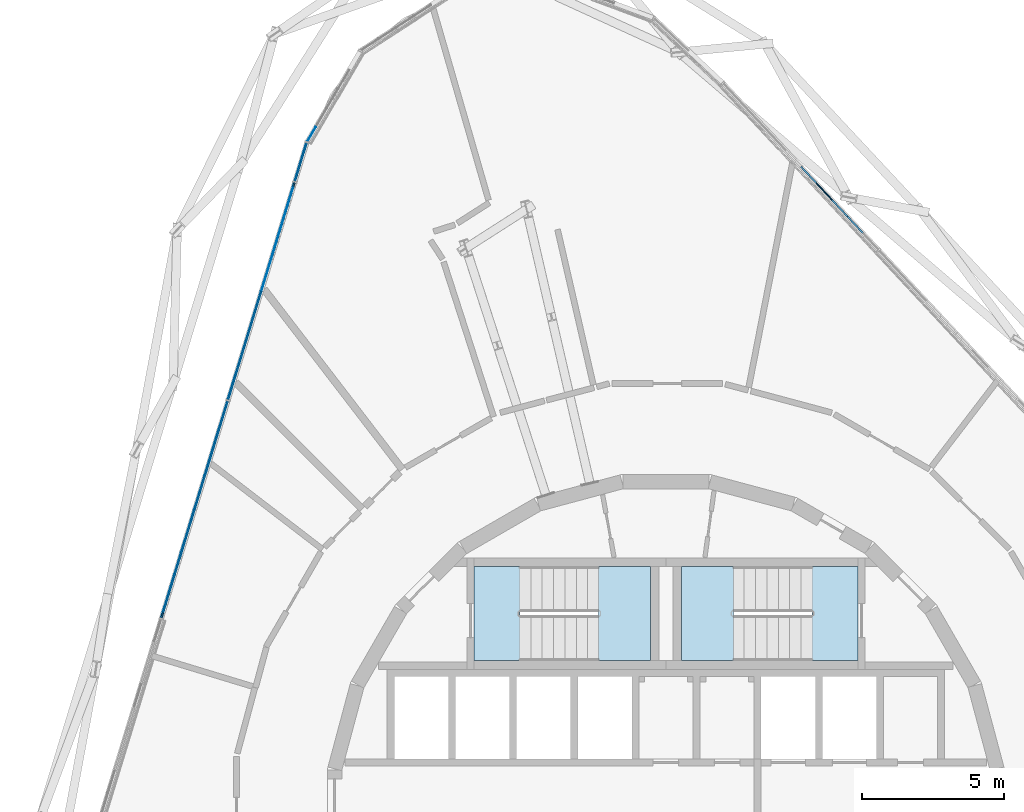
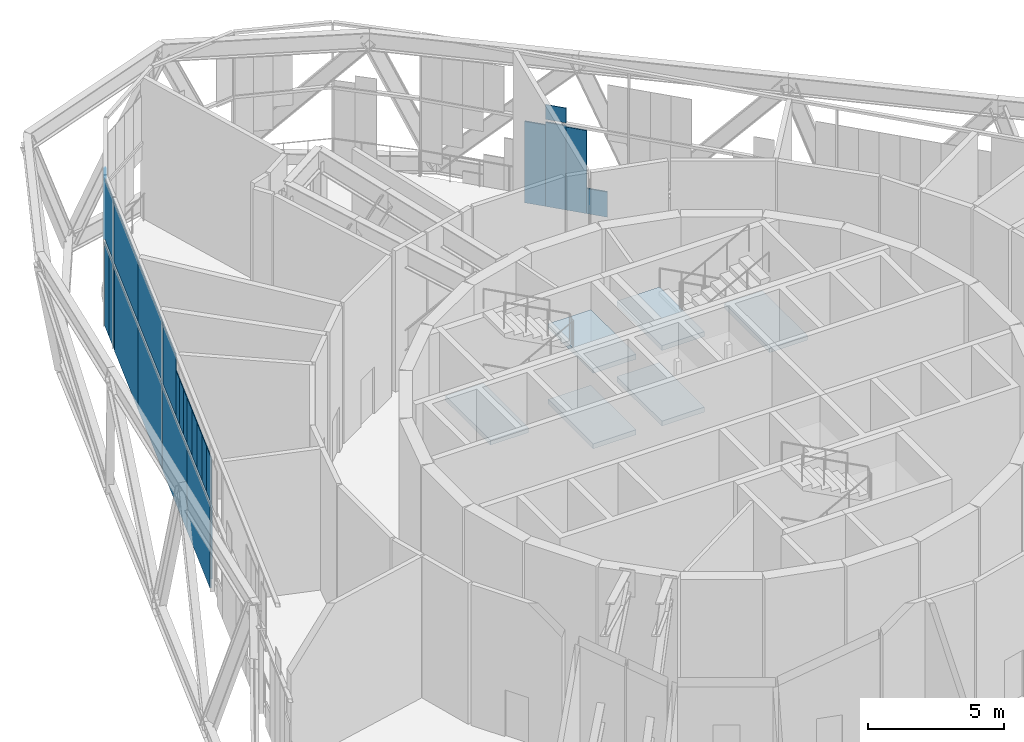
# One storey, part 15 of 25: 26 plates, 6 slabs, 5 elements without a shape of their own.
"""IFC4 building model written with IfcOpenShell, lengths in metres."""

from ifc_helpers import new_model, si_unit, direction, frame, origin, origin_2d, place, context, subcontext, project, spatial, polyline, rectangle, outline, extrude, material, layer, layer_set, type_object, element, aggregate, save


model = new_model("IFC4")

# Units and contexts
model_context = context("Model", 3, precision=1e-05, world=origin(), true_north=direction((0.0, 1.0)))
body_context = subcontext(model_context, "Body", "Model", "MODEL_VIEW")
ifc_project = project(units=[si_unit("LENGTHUNIT", "METRE"), si_unit("AREAUNIT", "SQUARE_METRE"), si_unit("VOLUMEUNIT", "CUBIC_METRE"), si_unit("PLANEANGLEUNIT", "RADIAN"), si_unit("MASSUNIT", "GRAM", prefix="KILO")], contexts=[model_context])

# Site, building, storey
site_placement = place(None, origin())
site = spatial("IfcSite", under=ifc_project, at=site_placement, CompositionType="ELEMENT")
building_placement = place(site_placement, origin())
building = spatial("IfcBuilding", under=site, at=building_placement, Name="Spindle Arch Residences", CompositionType="ELEMENT")
storey_placement = place(building_placement, frame((0.0, 0.0, 144.89990234375)))
storey = spatial("IfcBuildingStorey", under=building, at=storey_placement, Name="L36", CompositionType="ELEMENT", Elevation=144.89990234375)

# Stair, slabs
ifc_material_1 = material(Name="Concrete C50/60", Category="concrete")
stair_type = type_object("IfcStairType", Name="Exit stair 32 risers", PredefinedType="HALF_TURN_STAIR", material=ifc_material_1)
stair_1_placement = place(storey_placement, origin())
stair_1 = element("IfcStair", 1, at=stair_1_placement, inside=storey, type_object=stair_type, Name="L36 Exit stair ST1", PredefinedType="HALF_TURN_STAIR")
ifc_material_2 = material(Name="Concrete C50/60", Category="concrete")
ifc_layer_1 = layer(ifc_material_2, 0.219970703125)
ifc_layer_set_1 = layer_set([ifc_layer_1], Name="Exit stair landing 220")
slab_type = type_object("IfcSlabType", Name="Exit stair landing 220", PredefinedType="LANDING", material=ifc_layer_set_1)
slab_1_placement = place(storey_placement, frame((0.0, 0.0, 1.47998046875)))
slab_1 = element("IfcSlab", 2, at=slab_1_placement, type_object=slab_type, Name="ST1 landing 1", PredefinedType="LANDING", context=body_context, shape_type="SweptSolid", body=[
    extrude(outline(polyline([(2.3701171875, 8.669921875), (0.550048828125, 8.669921875), (0.550048828125, 5.35009765625), (2.3701171875, 5.35009765625), (2.3701171875, 8.669921875)])), origin(), (0.0, 0.0, 1.0), 0.22021484375),
])
slab_2_placement = place(storey_placement, frame((0.0, 0.0, 3.18017578125)))
slab_2 = element("IfcSlab", 3, at=slab_2_placement, type_object=slab_type, Name="ST1 landing 2", PredefinedType="LANDING", context=body_context, shape_type="SweptSolid", body=[
    extrude(outline(polyline([(6.75, 8.669921875), (5.1298828125, 8.669921875), (5.1298828125, 5.35009765625), (6.75, 5.35009765625), (6.75, 8.669921875)])), origin(), (0.0, 0.0, 1.0), 0.219970703125),
])
slab_3_placement = place(storey_placement, frame((0.0, 0.0, 4.880126953125)))
slab_3 = element("IfcSlab", 4, at=slab_3_placement, type_object=slab_type, Name="ST1 landing 3", PredefinedType="LANDING", context=body_context, shape_type="SweptSolid", body=[
    extrude(outline(polyline([(2.3701171875, 8.669921875), (0.550048828125, 8.669921875), (0.550048828125, 5.35009765625), (2.3701171875, 5.35009765625), (2.3701171875, 8.669921875)])), origin(), (0.0, 0.0, 1.0), 0.219970703125),
])
aggregate(stair_1, [slab_1, slab_2, slab_3])

stair_2_placement = place(storey_placement, origin())
stair_2 = element("IfcStair", 5, at=stair_2_placement, inside=storey, type_object=stair_type, Name="L36 Exit stair ST2", PredefinedType="HALF_TURN_STAIR")
slab_4_placement = place(storey_placement, frame((0.0, 0.0, 1.47998046875)))
slab_4 = element("IfcSlab", 6, at=slab_4_placement, type_object=slab_type, Name="ST2 landing 1", PredefinedType="LANDING", context=body_context, shape_type="SweptSolid", body=[
    extrude(outline(polyline([(-2.3701171875, 5.35009765625), (-0.550048828125, 5.35009765625), (-0.550048828125, 8.669921875), (-2.3701171875, 8.669921875), (-2.3701171875, 5.35009765625)])), origin(), (0.0, 0.0, 1.0), 0.22021484375),
])
slab_5_placement = place(storey_placement, frame((0.0, 0.0, 3.18017578125)))
slab_5 = element("IfcSlab", 7, at=slab_5_placement, type_object=slab_type, Name="ST2 landing 2", PredefinedType="LANDING", context=body_context, shape_type="SweptSolid", body=[
    extrude(outline(polyline([(-6.75, 5.35009765625), (-5.1298828125, 5.35009765625), (-5.1298828125, 8.669921875), (-6.75, 8.669921875), (-6.75, 5.35009765625)])), origin(), (0.0, 0.0, 1.0), 0.219970703125),
])
slab_6_placement = place(storey_placement, frame((0.0, 0.0, 4.880126953125)))
slab_6 = element("IfcSlab", 8, at=slab_6_placement, type_object=slab_type, Name="ST2 landing 3", PredefinedType="LANDING", context=body_context, shape_type="SweptSolid", body=[
    extrude(outline(polyline([(-2.3701171875, 5.35009765625), (-0.550048828125, 5.35009765625), (-0.550048828125, 8.669921875), (-2.3701171875, 8.669921875), (-2.3701171875, 5.35009765625)])), origin(), (0.0, 0.0, 1.0), 0.219970703125),
])
aggregate(stair_2, [slab_4, slab_5, slab_6])

# Curtain wall, plate
ifc_material_3 = material(Name="Aluminium bronze unitised frame with tinted glass", Category="aluminium")
ifc_layer_2 = layer(ifc_material_3, 0.159912109375)
ifc_layer_set_2 = layer_set([ifc_layer_2], Name="CW-E double-height winter garden wall")
curtain_wall_type = type_object("IfcCurtainWallType", Name="CW-E double-height winter garden wall", PredefinedType="NOTDEFINED", material=ifc_layer_set_2)
curtain_wall_1_placement = place(storey_placement, origin())
curtain_wall_1 = element("IfcCurtainWall", 9, at=curtain_wall_1_placement, inside=storey, type_object=curtain_wall_type, Name="CW-E L36 run 2", PredefinedType="NOTDEFINED")
ifc_material_4 = material(Name="Tinted laminated glass 28 mm", Category="glass")
ifc_layer_3 = layer(ifc_material_4, 0.028076171875)
ifc_layer_set_3 = layer_set([ifc_layer_3], Name="Tinted glass panel 28 mm")
plate_type_1 = type_object("IfcPlateType", Name="Tinted glass panel 28 mm", PredefinedType="CURTAIN_PANEL", material=ifc_layer_set_3)
plate_1_placement = place(storey_placement, frame((5.563232421875, 21.850830078125, 3.4599609375), z_axis=(0.0, 0.0, 1.0), x_axis=(-0.681998360062, 0.731353701619, 0.0)))
plate_1 = element("IfcPlate", 10, at=plate_1_placement, type_object=plate_type_1, Name="CW-E panel 08Ab.2", PredefinedType="CURTAIN_PANEL", context=body_context, shape_type="SweptSolid", body=[
    extrude(rectangle(XDim=0.796875, YDim=0.028076171875, at=origin_2d()), origin(), (0.0, 0.0, 1.0), 0.665771484375),
])

# Curtain wall, plates
curtain_wall_2_placement = place(storey_placement, origin())
curtain_wall_2 = element("IfcCurtainWall", 11, at=curtain_wall_2_placement, inside=storey, type_object=curtain_wall_type, Name="CW-E L36 run 3", PredefinedType="NOTDEFINED")
plate_2_placement = place(storey_placement, frame((-12.46337890625, 23.864990234375, 3.460205078125), z_axis=(0.0, 0.0, 1.0), x_axis=(-0.505029844161, -0.863101880723, 0.0)))
plate_2 = element("IfcPlate", 12, at=plate_2_placement, type_object=plate_type_1, Name="CW-E panel 04b.4", PredefinedType="CURTAIN_PANEL", context=body_context, shape_type="SweptSolid", body=[
    extrude(rectangle(XDim=0.5869140625, YDim=0.028076171875, at=origin_2d()), origin(), (0.0, 0.0, 1.0), 2.77001953125),
])
plate_3_placement = place(storey_placement, frame((-12.84130859375, 22.884521484375, 3.460205078125), z_axis=(0.0, 0.0, 1.0), x_axis=(-0.292371704723, -0.956304755963, 0.0)))
plate_3 = element("IfcPlate", 13, at=plate_3_placement, type_object=plate_type_1, Name="CW-E unit 05b", PredefinedType="CURTAIN_PANEL", context=body_context, shape_type="SweptSolid", body=[
    extrude(rectangle(XDim=1.406982421875, YDim=0.028076171875, at=origin_2d()), origin(), (0.0, 0.0, 1.0), 2.77001953125),
])

curtain_wall_3_placement = place(storey_placement, origin())
curtain_wall_3 = element("IfcCurtainWall", 14, at=curtain_wall_3_placement, inside=storey, type_object=curtain_wall_type, Name="CW-E L36 run 4", PredefinedType="NOTDEFINED")
plate_4_placement = place(storey_placement, frame((-13.64697265625, 20.2490234375, 3.460205078125), z_axis=(0.0, 0.0, 1.0), x_axis=(-0.292371704723, -0.956304755963, 0.0)))
plate_4 = element("IfcPlate", 15, at=plate_4_placement, type_object=plate_type_1, Name="CW-E unit 12Ab", PredefinedType="CURTAIN_PANEL", context=body_context, shape_type="SweptSolid", body=[
    extrude(rectangle(XDim=3.984619140625, YDim=0.028076171875, at=origin_2d()), origin(), (0.0, 0.0, 1.0), 2.77001953125),
])
plate_5_placement = place(storey_placement, frame((-14.81201171875, 16.4384765625, 3.460205078125), z_axis=(0.0, 0.0, 1.0), x_axis=(-0.292371704723, -0.956304755963, 0.0)))
plate_5 = element("IfcPlate", 16, at=plate_5_placement, type_object=plate_type_1, Name="CW-E unit 12Bb", PredefinedType="CURTAIN_PANEL", context=body_context, shape_type="SweptSolid", body=[
    extrude(rectangle(XDim=3.984619140625, YDim=0.028076171875, at=origin_2d()), origin(), (0.0, 0.0, 1.0), 2.77001953125),
])
plate_6_placement = place(storey_placement, frame((-15.72265625, 13.4599609375, 3.460205078125), z_axis=(0.0, 0.0, 1.0), x_axis=(-0.292371704723, -0.956304755963, 0.0)))
plate_6 = element("IfcPlate", 17, at=plate_6_placement, type_object=plate_type_1, Name="CW-E panel 13Ab.1", PredefinedType="CURTAIN_PANEL", context=body_context, shape_type="SweptSolid", body=[
    extrude(rectangle(XDim=2.125, YDim=0.028076171875, at=origin_2d()), origin(), (0.0, 0.0, 1.0), 2.77001953125),
])
plate_7_placement = place(storey_placement, frame((-16.123779296875, 12.1474609375, 3.460205078125), z_axis=(0.0, 0.0, 1.0), x_axis=(-0.292371704723, -0.956304755963, 0.0)))
plate_7 = element("IfcPlate", 18, at=plate_7_placement, type_object=plate_type_1, Name="CW-E panel 13Ab.2", PredefinedType="CURTAIN_PANEL", context=body_context, shape_type="SweptSolid", body=[
    extrude(rectangle(XDim=0.619873046875, YDim=0.028076171875, at=origin_2d()), origin(), (0.0, 0.0, 1.0), 2.0458984375),
])
plate_8_placement = place(storey_placement, frame((-16.30517578125, 11.5546875, 3.460205078125), z_axis=(0.0, 0.0, 1.0), x_axis=(-0.292371704723, -0.956304755963, 0.0)))
plate_8 = element("IfcPlate", 19, at=plate_8_placement, type_object=plate_type_1, Name="CW-E panel 13Ab.3", PredefinedType="CURTAIN_PANEL", context=body_context, shape_type="SweptSolid", body=[
    extrude(rectangle(XDim=0.619873046875, YDim=0.028076171875, at=origin_2d()), origin(), (0.0, 0.0, 1.0), 2.0458984375),
])
plate_9_placement = place(storey_placement, frame((-16.486328125, 10.9619140625, 3.460205078125), z_axis=(0.0, 0.0, 1.0), x_axis=(-0.292371704723, -0.956304755963, 0.0)))
plate_9 = element("IfcPlate", 20, at=plate_9_placement, type_object=plate_type_1, Name="CW-E panel 13Ab.4", PredefinedType="CURTAIN_PANEL", context=body_context, shape_type="SweptSolid", body=[
    extrude(rectangle(XDim=0.619873046875, YDim=0.028076171875, at=origin_2d()), origin(), (0.0, 0.0, 1.0), 2.0458984375),
])
plate_10_placement = place(storey_placement, frame((-16.693359375, 10.284423828125, 3.460205078125), z_axis=(0.0, 0.0, 1.0), x_axis=(-0.292371704723, -0.956304755963, 0.0)))
plate_10 = element("IfcPlate", 21, at=plate_10_placement, type_object=plate_type_1, Name="CW-E panel 13Bb.1", PredefinedType="CURTAIN_PANEL", context=body_context, shape_type="SweptSolid", body=[
    extrude(rectangle(XDim=0.796875, YDim=0.028076171875, at=origin_2d()), origin(), (0.0, 0.0, 1.0), 2.0458984375),
])
plate_11_placement = place(storey_placement, frame((-16.926513671875, 9.522216796875, 3.460205078125), z_axis=(0.0, 0.0, 1.0), x_axis=(-0.292371704723, -0.956304755963, 0.0)))
plate_11 = element("IfcPlate", 22, at=plate_11_placement, type_object=plate_type_1, Name="CW-E panel 13Bb.2", PredefinedType="CURTAIN_PANEL", context=body_context, shape_type="SweptSolid", body=[
    extrude(rectangle(XDim=0.796875, YDim=0.028076171875, at=origin_2d()), origin(), (0.0, 0.0, 1.0), 2.0458984375),
])
plate_12_placement = place(storey_placement, frame((-17.159423828125, 8.76025390625, 3.460205078125), z_axis=(0.0, 0.0, 1.0), x_axis=(-0.292371704723, -0.956304755963, 0.0)))
plate_12 = element("IfcPlate", 23, at=plate_12_placement, type_object=plate_type_1, Name="CW-E panel 13Bb.3", PredefinedType="CURTAIN_PANEL", context=body_context, shape_type="SweptSolid", body=[
    extrude(rectangle(XDim=0.796875, YDim=0.028076171875, at=origin_2d()), origin(), (0.0, 0.0, 1.0), 2.0458984375),
])
plate_13_placement = place(storey_placement, frame((-17.392333984375, 7.998046875, 3.460205078125), z_axis=(0.0, 0.0, 1.0), x_axis=(-0.292371704723, -0.956304755963, 0.0)))
plate_13 = element("IfcPlate", 24, at=plate_13_placement, type_object=plate_type_1, Name="CW-E panel 13Bb.4", PredefinedType="CURTAIN_PANEL", context=body_context, shape_type="SweptSolid", body=[
    extrude(rectangle(XDim=0.796875, YDim=0.028076171875, at=origin_2d()), origin(), (0.0, 0.0, 1.0), 2.0458984375),
])
plate_14_placement = place(storey_placement, frame((-17.62548828125, 7.236083984375, 3.460205078125), z_axis=(0.0, 0.0, 1.0), x_axis=(-0.292371704723, -0.956304755963, 0.0)))
plate_14 = element("IfcPlate", 25, at=plate_14_placement, type_object=plate_type_1, Name="CW-E panel 13Bb.5", PredefinedType="CURTAIN_PANEL", context=body_context, shape_type="SweptSolid", body=[
    extrude(rectangle(XDim=0.796875, YDim=0.028076171875, at=origin_2d()), origin(), (0.0, 0.0, 1.0), 2.0458984375),
])

# Plate
ifc_material_5 = material(Name="Tinted double glazing over aluminium faced non-combustible spandrel zone (K0)", Category="aluminium")
ifc_layer_4 = layer(ifc_material_5, 0.06005859375)
ifc_layer_set_4 = layer_set([ifc_layer_4], Name="Unitised glass panel with E 60 spandrel zone")
plate_type_2 = type_object("IfcPlateType", Name="Unitised glass panel with E 60 spandrel zone", PredefinedType="CURTAIN_PANEL", material=ifc_layer_set_4)
plate_15_placement = place(storey_placement, frame((6.650146484375, 20.68505859375, -0.449951171875), z_axis=(0.0, 0.0, 1.0), x_axis=(-0.681998360062, 0.731353701619, 0.0)))
plate_15 = element("IfcPlate", 26, at=plate_15_placement, type_object=plate_type_2, Name="CW-E panel 08Aa.2", PredefinedType="CURTAIN_PANEL", context=body_context, shape_type="SweptSolid", body=[
    extrude(rectangle(XDim=0.796875, YDim=0.06005859375, at=origin_2d()), origin(), (0.0, 0.0, 1.0), 1.13427734375),
])

plate_16_placement = place(storey_placement, frame((6.106689453125, 21.26806640625, -0.449951171875), z_axis=(0.0, 0.0, 1.0), x_axis=(-0.681998360062, 0.731353701619, 0.0)))
plate_16 = element("IfcPlate", 27, at=plate_16_placement, type_object=plate_type_2, Name="CW-E panel 08Aa.3", PredefinedType="CURTAIN_PANEL", context=body_context, shape_type="SweptSolid", body=[
    extrude(rectangle(XDim=0.796875, YDim=0.06005859375, at=origin_2d()), origin(), (0.0, 0.0, 1.0), 3.740234375),
])

plate_17_placement = place(storey_placement, frame((5.563232421875, 21.850830078125, -0.449951171875), z_axis=(0.0, 0.0, 1.0), x_axis=(-0.681998360062, 0.731353701619, 0.0)))
plate_17 = element("IfcPlate", 28, at=plate_17_placement, type_object=plate_type_2, Name="CW-E panel 08Aa.4", PredefinedType="CURTAIN_PANEL", context=body_context, shape_type="SweptSolid", body=[
    extrude(rectangle(XDim=0.796875, YDim=0.06005859375, at=origin_2d()), origin(), (0.0, 0.0, 1.0), 3.7900390625),
])

plate_18_placement = place(storey_placement, frame((5.019775390625, 22.43359375, -0.449951171875), z_axis=(0.0, 0.0, 1.0), x_axis=(-0.681998360062, 0.731353701619, 0.0)))
plate_18 = element("IfcPlate", 29, at=plate_18_placement, type_object=plate_type_2, Name="CW-E panel 08Aa.5", PredefinedType="CURTAIN_PANEL", context=body_context, shape_type="SweptSolid", body=[
    extrude(rectangle(XDim=0.796875, YDim=0.06005859375, at=origin_2d()), origin(), (0.0, 0.0, 1.0), 3.6650390625),
])

aggregate(curtain_wall_1, [plate_15, plate_16, plate_17, plate_18, plate_1])

plate_19_placement = place(storey_placement, frame((-12.73828125, 23.220703125, -0.419921875), z_axis=(0.0, 0.0, 1.0), x_axis=(-0.292371704723, -0.956304755963, 0.0)))
plate_19 = element("IfcPlate", 30, at=plate_19_placement, type_object=plate_type_2, Name="CW-E panel 05a.1", PredefinedType="CURTAIN_PANEL", context=body_context, shape_type="SweptSolid", body=[
    extrude(rectangle(XDim=0.70361328125, YDim=0.06005859375, at=origin_2d()), origin(), (0.0, 0.0, 1.0), 3.760009765625),
])

plate_20_placement = place(storey_placement, frame((-12.944091796875, 22.548095703125, -0.419921875), z_axis=(0.0, 0.0, 1.0), x_axis=(-0.292371704723, -0.956304755963, 0.0)))
plate_20 = element("IfcPlate", 31, at=plate_20_placement, type_object=plate_type_2, Name="CW-E panel 05a.2", PredefinedType="CURTAIN_PANEL", context=body_context, shape_type="SweptSolid", body=[
    extrude(rectangle(XDim=0.70361328125, YDim=0.06005859375, at=origin_2d()), origin(), (0.0, 0.0, 1.0), 3.760009765625),
])

aggregate(curtain_wall_2, [plate_2, plate_19, plate_20, plate_3])

plate_21_placement = place(storey_placement, frame((-13.083251953125, 22.093017578125, -0.42138671875), z_axis=(0.0, 0.0, 1.0), x_axis=(-0.292371704723, -0.956304755963, 0.0)))
plate_21 = element("IfcPlate", 32, at=plate_21_placement, type_object=plate_type_2, Name="CW-E panel 12Aa.1", PredefinedType="CURTAIN_PANEL", context=body_context, shape_type="SweptSolid", body=[
    extrude(rectangle(XDim=0.128173828125, YDim=0.06005859375, at=origin_2d()), origin(), (0.0, 0.0, 1.0), 3.761474609375),
])

plate_22_placement = place(storey_placement, frame((-13.665771484375, 20.187744140625, -0.449951171875), z_axis=(0.0, 0.0, 1.0), x_axis=(-0.292371704723, -0.956304755963, 0.0)))
plate_22 = element("IfcPlate", 33, at=plate_22_placement, type_object=plate_type_2, Name="CW-E panel 12Aa.2", PredefinedType="CURTAIN_PANEL", context=body_context, shape_type="SweptSolid", body=[
    extrude(rectangle(XDim=3.8564453125, YDim=0.06005859375, at=origin_2d()), origin(), (0.0, 0.0, 1.0), 3.7900390625),
])

plate_23_placement = place(storey_placement, frame((-14.81201171875, 16.4384765625, -0.449951171875), z_axis=(0.0, 0.0, 1.0), x_axis=(-0.292371704723, -0.956304755963, 0.0)))
plate_23 = element("IfcPlate", 34, at=plate_23_placement, type_object=plate_type_2, Name="CW-E unit 12Ba", PredefinedType="CURTAIN_PANEL", context=body_context, shape_type="SweptSolid", body=[
    extrude(rectangle(XDim=3.984619140625, YDim=0.06005859375, at=origin_2d()), origin(), (0.0, 0.0, 1.0), 3.7900390625),
])

plate_24_placement = place(storey_placement, frame((-15.994384765625, 12.57080078125, -0.449951171875), z_axis=(0.0, 0.0, 1.0), x_axis=(-0.292371704723, -0.956304755963, 0.0)))
plate_24 = element("IfcPlate", 35, at=plate_24_placement, type_object=plate_type_2, Name="CW-E unit 13Aa", PredefinedType="CURTAIN_PANEL", context=body_context, shape_type="SweptSolid", body=[
    extrude(rectangle(XDim=3.984619140625, YDim=0.06005859375, at=origin_2d()), origin(), (0.0, 0.0, 1.0), 3.7900390625),
])

plate_25_placement = place(storey_placement, frame((-17.1318359375, 8.85009765625, -0.449951171875), z_axis=(0.0, 0.0, 1.0), x_axis=(-0.292371704723, -0.956304755963, 0.0)))
plate_25 = element("IfcPlate", 36, at=plate_25_placement, type_object=plate_type_2, Name="CW-E panel 13Ba.1", PredefinedType="CURTAIN_PANEL", context=body_context, shape_type="SweptSolid", body=[
    extrude(rectangle(XDim=3.79638671875, YDim=0.06005859375, at=origin_2d()), origin(), (0.0, 0.0, 1.0), 3.7900390625),
])

plate_26_placement = place(storey_placement, frame((-17.71435546875, 6.94482421875, 0.08935546875), z_axis=(0.0, 0.0, 1.0), x_axis=(-0.292371704723, -0.956304755963, 0.0)))
plate_26 = element("IfcPlate", 37, at=plate_26_placement, type_object=plate_type_2, Name="CW-E panel 13Ba.2", PredefinedType="CURTAIN_PANEL", context=body_context, shape_type="SweptSolid", body=[
    extrude(rectangle(XDim=0.188232421875, YDim=0.06005859375, at=origin_2d()), origin(), (0.0, 0.0, 1.0), 3.250732421875),
])

aggregate(curtain_wall_3, [plate_21, plate_22, plate_4, plate_23, plate_5, plate_24, plate_6, plate_7, plate_8, plate_9, plate_25, plate_26, plate_10, plate_11, plate_12, plate_13, plate_14])

save(model, "model.ifc")
